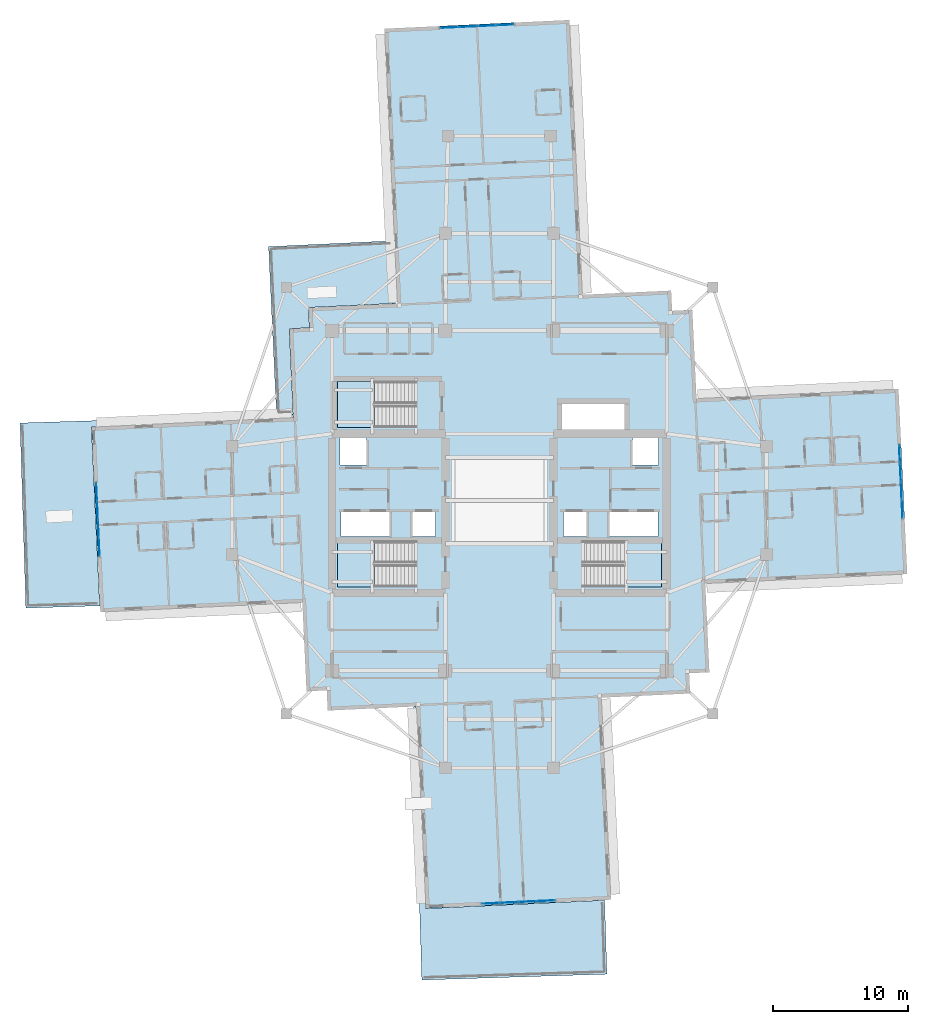
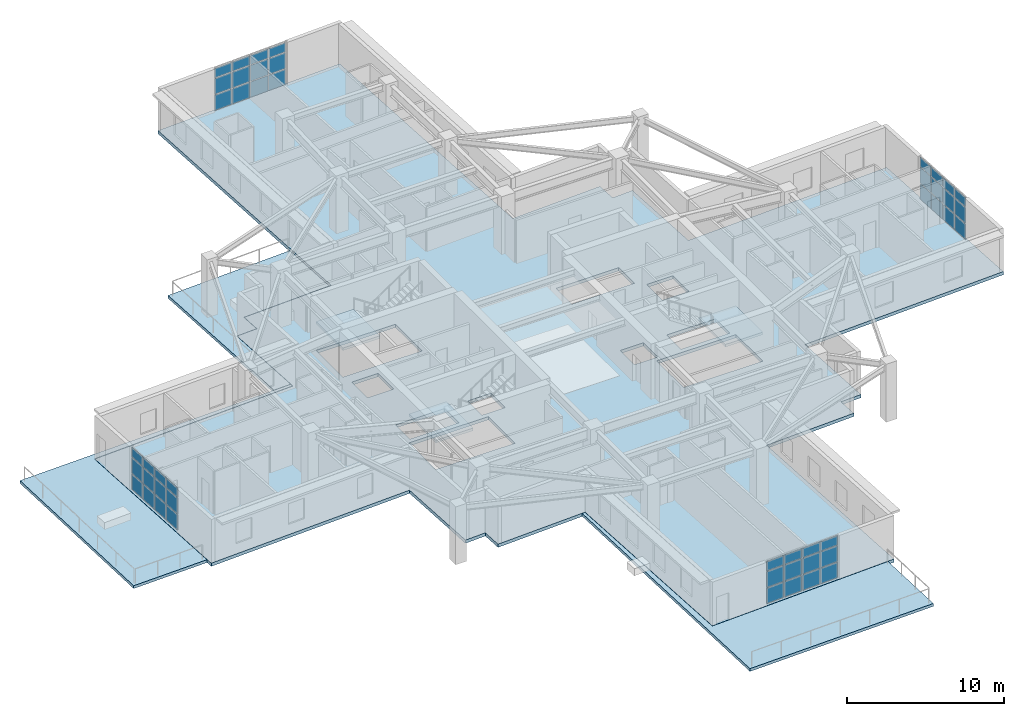
# One storey, part 10 of 22: 48 plates, 7 slabs, 7 elements without a shape of their own.
"""IFC4 building model written with IfcOpenShell, lengths in metres."""

from ifc_helpers import new_model, si_unit, direction, frame, origin, origin_2d, place, context, subcontext, project, spatial, polyline, rectangle, outline, extrude, material, layer, layer_set, type_object, element, aggregate, save


model = new_model("IFC4")

# Units and contexts
model_context = context("Model", 3, precision=1e-05, world=origin(), true_north=direction((0.0, 1.0)))
body_context = subcontext(model_context, "Body", "Model", "MODEL_VIEW")
ifc_project = project(units=[si_unit("LENGTHUNIT", "METRE"), si_unit("AREAUNIT", "SQUARE_METRE"), si_unit("VOLUMEUNIT", "CUBIC_METRE"), si_unit("PLANEANGLEUNIT", "RADIAN"), si_unit("MASSUNIT", "GRAM", prefix="KILO")], contexts=[model_context])

# Site, building, storey
site_placement = place(None, origin())
site = spatial("IfcSite", under=ifc_project, at=site_placement, CompositionType="ELEMENT")
building_placement = place(site_placement, origin())
building = spatial("IfcBuilding", under=site, at=building_placement, Name="Qingluan Cross Belvedere", CompositionType="ELEMENT")
storey_placement = place(building_placement, frame((0.0, 0.0, 196.800048828125)))
storey = spatial("IfcBuildingStorey", under=building, at=storey_placement, Name="L49", CompositionType="ELEMENT", Elevation=196.800048828125)

# Curtain wall, plates
ifc_material_1 = material(Name="Thermally broken aluminium and Low-E glass", Category="aluminium")
ifc_layer_1 = layer(ifc_material_1, 0.219970703125, Name="UnitisedCW_SkyLobbyHigh")
ifc_layer_set_1 = layer_set([ifc_layer_1], Name="Thermally broken aluminium and Low-E glass")
curtain_wall_type = type_object("IfcCurtainWallType", Name="UnitisedCW_SkyLobbyHigh", PredefinedType="USERDEFINED", material=ifc_layer_set_1)
curtain_wall_1_placement = place(storey_placement, origin())
curtain_wall_1 = element("IfcCurtainWall", 1, at=curtain_wall_1_placement, inside=storey, type_object=curtain_wall_type, Name="UnitisedCW_SkyLobbyHigh run env:cw:L49:E", ObjectType="UNITISED CURTAIN WALL", PredefinedType="USERDEFINED")
ifc_material_2 = material(Name="Triple-silver Low-E insulated glass", Category="glass")
ifc_layer_2 = layer(ifc_material_2, 0.035888671875, Name="CWVisionPanel_36")
ifc_layer_set_2 = layer_set([ifc_layer_2], Name="Triple-silver Low-E insulated glass")
plate_type = type_object("IfcPlateType", Name="CWVisionPanel_36", PredefinedType="CURTAIN_PANEL", material=ifc_layer_set_2)
plate_1_placement = place(storey_placement, frame((29.84326171875, -0.637939453125, 0.06005859375), z_axis=(0.0, 0.0, 1.0), x_axis=(-0.04710198597, 0.998890085504, 0.0)))
plate_1 = element("IfcPlate", 2, at=plate_1_placement, type_object=plate_type, Name="CW-S2 panel 1.1", PredefinedType="CURTAIN_PANEL", context=body_context, shape_type="SweptSolid", body=[
    extrude(rectangle(XDim=1.281982421875, YDim=0.028076171875, at=origin_2d()), origin(), (0.0, 0.0, 1.0), 1.194091796875),
])
plate_2_placement = place(storey_placement, frame((29.84326171875, -0.637939453125, 1.31396484375), z_axis=(0.0, 0.0, 1.0), x_axis=(-0.04710198597, 0.998890085504, 0.0)))
plate_2 = element("IfcPlate", 3, at=plate_2_placement, type_object=plate_type, Name="CW-S2 panel 1.2", PredefinedType="CURTAIN_PANEL", context=body_context, shape_type="SweptSolid", body=[
    extrude(rectangle(XDim=1.281982421875, YDim=0.028076171875, at=origin_2d()), origin(), (0.0, 0.0, 1.0), 1.22509765625),
])
plate_3_placement = place(storey_placement, frame((29.84326171875, -0.637939453125, 2.59912109375), z_axis=(0.0, 0.0, 1.0), x_axis=(-0.04710198597, 0.998890085504, 0.0)))
plate_3 = element("IfcPlate", 4, at=plate_3_placement, type_object=plate_type, Name="CW-S2 panel 1.3", PredefinedType="CURTAIN_PANEL", context=body_context, shape_type="SweptSolid", body=[
    extrude(rectangle(XDim=1.281982421875, YDim=0.028076171875, at=origin_2d()), origin(), (0.0, 0.0, 1.0), 0.720947265625),
])
plate_4_placement = place(storey_placement, frame((29.779296875, 0.717529296875, 0.06005859375), z_axis=(0.0, 0.0, 1.0), x_axis=(-0.04710198597, 0.998890085504, 0.0)))
plate_4 = element("IfcPlate", 5, at=plate_4_placement, type_object=plate_type, Name="CW-S2 panel 2.1", PredefinedType="CURTAIN_PANEL", context=body_context, shape_type="SweptSolid", body=[
    extrude(rectangle(XDim=1.31201171875, YDim=0.028076171875, at=origin_2d()), origin(), (0.0, 0.0, 1.0), 1.194091796875),
])
plate_5_placement = place(storey_placement, frame((29.779296875, 0.717529296875, 1.31396484375), z_axis=(0.0, 0.0, 1.0), x_axis=(-0.04710198597, 0.998890085504, 0.0)))
plate_5 = element("IfcPlate", 6, at=plate_5_placement, type_object=plate_type, Name="CW-S2 panel 2.2", PredefinedType="CURTAIN_PANEL", context=body_context, shape_type="SweptSolid", body=[
    extrude(rectangle(XDim=1.31201171875, YDim=0.028076171875, at=origin_2d()), origin(), (0.0, 0.0, 1.0), 1.22509765625),
])
plate_6_placement = place(storey_placement, frame((29.779296875, 0.717529296875, 2.59912109375), z_axis=(0.0, 0.0, 1.0), x_axis=(-0.04710198597, 0.998890085504, 0.0)))
plate_6 = element("IfcPlate", 7, at=plate_6_placement, type_object=plate_type, Name="CW-S2 panel 2.3", PredefinedType="CURTAIN_PANEL", context=body_context, shape_type="SweptSolid", body=[
    extrude(rectangle(XDim=1.31201171875, YDim=0.028076171875, at=origin_2d()), origin(), (0.0, 0.0, 1.0), 0.720947265625),
])
plate_7_placement = place(storey_placement, frame((29.714599609375, 2.088134765625, 0.06005859375), z_axis=(0.0, 0.0, 1.0), x_axis=(-0.04710198597, 0.998890085504, 0.0)))
plate_7 = element("IfcPlate", 8, at=plate_7_placement, type_object=plate_type, Name="CW-S2 panel 3.1", PredefinedType="CURTAIN_PANEL", context=body_context, shape_type="SweptSolid", body=[
    extrude(rectangle(XDim=1.31201171875, YDim=0.028076171875, at=origin_2d()), origin(), (0.0, 0.0, 1.0), 1.194091796875),
])
plate_8_placement = place(storey_placement, frame((29.714599609375, 2.088134765625, 1.31396484375), z_axis=(0.0, 0.0, 1.0), x_axis=(-0.04710198597, 0.998890085504, 0.0)))
plate_8 = element("IfcPlate", 9, at=plate_8_placement, type_object=plate_type, Name="CW-S2 panel 3.2", PredefinedType="CURTAIN_PANEL", context=body_context, shape_type="SweptSolid", body=[
    extrude(rectangle(XDim=1.31201171875, YDim=0.028076171875, at=origin_2d()), origin(), (0.0, 0.0, 1.0), 1.22509765625),
])
plate_9_placement = place(storey_placement, frame((29.714599609375, 2.088134765625, 2.59912109375), z_axis=(0.0, 0.0, 1.0), x_axis=(-0.04710198597, 0.998890085504, 0.0)))
plate_9 = element("IfcPlate", 10, at=plate_9_placement, type_object=plate_type, Name="CW-S2 panel 3.3", PredefinedType="CURTAIN_PANEL", context=body_context, shape_type="SweptSolid", body=[
    extrude(rectangle(XDim=1.31201171875, YDim=0.028076171875, at=origin_2d()), origin(), (0.0, 0.0, 1.0), 0.720947265625),
])
plate_10_placement = place(storey_placement, frame((29.650634765625, 3.443603515625, 0.06005859375), z_axis=(0.0, 0.0, 1.0), x_axis=(-0.04710198597, 0.998890085504, 0.0)))
plate_10 = element("IfcPlate", 11, at=plate_10_placement, type_object=plate_type, Name="CW-S2 panel 4.1", PredefinedType="CURTAIN_PANEL", context=body_context, shape_type="SweptSolid", body=[
    extrude(rectangle(XDim=1.281982421875, YDim=0.028076171875, at=origin_2d()), origin(), (0.0, 0.0, 1.0), 1.194091796875),
])
plate_11_placement = place(storey_placement, frame((29.650634765625, 3.443603515625, 1.31396484375), z_axis=(0.0, 0.0, 1.0), x_axis=(-0.04710198597, 0.998890085504, 0.0)))
plate_11 = element("IfcPlate", 12, at=plate_11_placement, type_object=plate_type, Name="CW-S2 panel 4.2", PredefinedType="CURTAIN_PANEL", context=body_context, shape_type="SweptSolid", body=[
    extrude(rectangle(XDim=1.281982421875, YDim=0.028076171875, at=origin_2d()), origin(), (0.0, 0.0, 1.0), 1.22509765625),
])
plate_12_placement = place(storey_placement, frame((29.650634765625, 3.443603515625, 2.59912109375), z_axis=(0.0, 0.0, 1.0), x_axis=(-0.04710198597, 0.998890085504, 0.0)))
plate_12 = element("IfcPlate", 13, at=plate_12_placement, type_object=plate_type, Name="CW-S2 panel 4.3", PredefinedType="CURTAIN_PANEL", context=body_context, shape_type="SweptSolid", body=[
    extrude(rectangle(XDim=1.281982421875, YDim=0.028076171875, at=origin_2d()), origin(), (0.0, 0.0, 1.0), 0.720947265625),
])
aggregate(curtain_wall_1, [plate_1, plate_2, plate_3, plate_4, plate_5, plate_6, plate_7, plate_8, plate_9, plate_10, plate_11, plate_12])

curtain_wall_2_placement = place(storey_placement, origin())
curtain_wall_2 = element("IfcCurtainWall", 14, at=curtain_wall_2_placement, inside=storey, type_object=curtain_wall_type, Name="UnitisedCW_SkyLobbyHigh run env:cw:L49:N", ObjectType="UNITISED CURTAIN WALL", PredefinedType="USERDEFINED")
plate_13_placement = place(storey_placement, frame((0.383544921875, 35.237060546875, 0.06005859375), z_axis=(0.0, 0.0, 1.0), x_axis=(-0.998890085504, -0.04710198597, 0.0)))
plate_13 = element("IfcPlate", 15, at=plate_13_placement, type_object=plate_type, Name="CW-S2 panel 1.1", PredefinedType="CURTAIN_PANEL", context=body_context, shape_type="SweptSolid", body=[
    extrude(rectangle(XDim=1.281982421875, YDim=0.028076171875, at=origin_2d()), origin(), (0.0, 0.0, 1.0), 1.194091796875),
])
plate_14_placement = place(storey_placement, frame((0.383544921875, 35.237060546875, 1.31396484375), z_axis=(0.0, 0.0, 1.0), x_axis=(-0.998890085504, -0.04710198597, 0.0)))
plate_14 = element("IfcPlate", 16, at=plate_14_placement, type_object=plate_type, Name="CW-S2 panel 1.2", PredefinedType="CURTAIN_PANEL", context=body_context, shape_type="SweptSolid", body=[
    extrude(rectangle(XDim=1.281982421875, YDim=0.028076171875, at=origin_2d()), origin(), (0.0, 0.0, 1.0), 1.22509765625),
])
plate_15_placement = place(storey_placement, frame((0.383544921875, 35.237060546875, 2.59912109375), z_axis=(0.0, 0.0, 1.0), x_axis=(-0.998890085504, -0.04710198597, 0.0)))
plate_15 = element("IfcPlate", 17, at=plate_15_placement, type_object=plate_type, Name="CW-S2 panel 1.3", PredefinedType="CURTAIN_PANEL", context=body_context, shape_type="SweptSolid", body=[
    extrude(rectangle(XDim=1.281982421875, YDim=0.028076171875, at=origin_2d()), origin(), (0.0, 0.0, 1.0), 0.720947265625),
])
plate_16_placement = place(storey_placement, frame((-0.971923828125, 35.17333984375, 0.06005859375), z_axis=(0.0, 0.0, 1.0), x_axis=(-0.998890085504, -0.04710198597, 0.0)))
plate_16 = element("IfcPlate", 18, at=plate_16_placement, type_object=plate_type, Name="CW-S2 panel 2.1", PredefinedType="CURTAIN_PANEL", context=body_context, shape_type="SweptSolid", body=[
    extrude(rectangle(XDim=1.31201171875, YDim=0.028076171875, at=origin_2d()), origin(), (0.0, 0.0, 1.0), 1.194091796875),
])
plate_17_placement = place(storey_placement, frame((-0.971923828125, 35.17333984375, 1.31396484375), z_axis=(0.0, 0.0, 1.0), x_axis=(-0.998890085504, -0.04710198597, 0.0)))
plate_17 = element("IfcPlate", 19, at=plate_17_placement, type_object=plate_type, Name="CW-S2 panel 2.2", PredefinedType="CURTAIN_PANEL", context=body_context, shape_type="SweptSolid", body=[
    extrude(rectangle(XDim=1.31201171875, YDim=0.028076171875, at=origin_2d()), origin(), (0.0, 0.0, 1.0), 1.22509765625),
])
plate_18_placement = place(storey_placement, frame((-0.971923828125, 35.17333984375, 2.59912109375), z_axis=(0.0, 0.0, 1.0), x_axis=(-0.998890085504, -0.04710198597, 0.0)))
plate_18 = element("IfcPlate", 20, at=plate_18_placement, type_object=plate_type, Name="CW-S2 panel 2.3", PredefinedType="CURTAIN_PANEL", context=body_context, shape_type="SweptSolid", body=[
    extrude(rectangle(XDim=1.31201171875, YDim=0.028076171875, at=origin_2d()), origin(), (0.0, 0.0, 1.0), 0.720947265625),
])
plate_19_placement = place(storey_placement, frame((-2.342529296875, 35.108642578125, 0.06005859375), z_axis=(0.0, 0.0, 1.0), x_axis=(-0.998890085504, -0.04710198597, 0.0)))
plate_19 = element("IfcPlate", 21, at=plate_19_placement, type_object=plate_type, Name="CW-S2 panel 3.1", PredefinedType="CURTAIN_PANEL", context=body_context, shape_type="SweptSolid", body=[
    extrude(rectangle(XDim=1.31201171875, YDim=0.028076171875, at=origin_2d()), origin(), (0.0, 0.0, 1.0), 1.194091796875),
])
plate_20_placement = place(storey_placement, frame((-2.342529296875, 35.108642578125, 1.31396484375), z_axis=(0.0, 0.0, 1.0), x_axis=(-0.998890085504, -0.04710198597, 0.0)))
plate_20 = element("IfcPlate", 22, at=plate_20_placement, type_object=plate_type, Name="CW-S2 panel 3.2", PredefinedType="CURTAIN_PANEL", context=body_context, shape_type="SweptSolid", body=[
    extrude(rectangle(XDim=1.31201171875, YDim=0.028076171875, at=origin_2d()), origin(), (0.0, 0.0, 1.0), 1.22509765625),
])
plate_21_placement = place(storey_placement, frame((-2.342529296875, 35.108642578125, 2.59912109375), z_axis=(0.0, 0.0, 1.0), x_axis=(-0.998890085504, -0.04710198597, 0.0)))
plate_21 = element("IfcPlate", 23, at=plate_21_placement, type_object=plate_type, Name="CW-S2 panel 3.3", PredefinedType="CURTAIN_PANEL", context=body_context, shape_type="SweptSolid", body=[
    extrude(rectangle(XDim=1.31201171875, YDim=0.028076171875, at=origin_2d()), origin(), (0.0, 0.0, 1.0), 0.720947265625),
])
plate_22_placement = place(storey_placement, frame((-3.697998046875, 35.044677734375, 0.06005859375), z_axis=(0.0, 0.0, 1.0), x_axis=(-0.998890085504, -0.04710198597, 0.0)))
plate_22 = element("IfcPlate", 24, at=plate_22_placement, type_object=plate_type, Name="CW-S2 panel 4.1", PredefinedType="CURTAIN_PANEL", context=body_context, shape_type="SweptSolid", body=[
    extrude(rectangle(XDim=1.281982421875, YDim=0.028076171875, at=origin_2d()), origin(), (0.0, 0.0, 1.0), 1.194091796875),
])
plate_23_placement = place(storey_placement, frame((-3.697998046875, 35.044677734375, 1.31396484375), z_axis=(0.0, 0.0, 1.0), x_axis=(-0.998890085504, -0.04710198597, 0.0)))
plate_23 = element("IfcPlate", 25, at=plate_23_placement, type_object=plate_type, Name="CW-S2 panel 4.2", PredefinedType="CURTAIN_PANEL", context=body_context, shape_type="SweptSolid", body=[
    extrude(rectangle(XDim=1.281982421875, YDim=0.028076171875, at=origin_2d()), origin(), (0.0, 0.0, 1.0), 1.22509765625),
])
plate_24_placement = place(storey_placement, frame((-3.697998046875, 35.044677734375, 2.59912109375), z_axis=(0.0, 0.0, 1.0), x_axis=(-0.998890085504, -0.04710198597, 0.0)))
plate_24 = element("IfcPlate", 26, at=plate_24_placement, type_object=plate_type, Name="CW-S2 panel 4.3", PredefinedType="CURTAIN_PANEL", context=body_context, shape_type="SweptSolid", body=[
    extrude(rectangle(XDim=1.281982421875, YDim=0.028076171875, at=origin_2d()), origin(), (0.0, 0.0, 1.0), 0.720947265625),
])
aggregate(curtain_wall_2, [plate_13, plate_14, plate_15, plate_16, plate_17, plate_18, plate_19, plate_20, plate_21, plate_22, plate_23, plate_24])

curtain_wall_3_placement = place(storey_placement, origin())
curtain_wall_3 = element("IfcCurtainWall", 27, at=curtain_wall_3_placement, inside=storey, type_object=curtain_wall_type, Name="UnitisedCW_SkyLobbyHigh run env:cw:L49:W", ObjectType="UNITISED CURTAIN WALL", PredefinedType="USERDEFINED")
plate_25_placement = place(storey_placement, frame((-29.84326171875, 0.637939453125, 0.06005859375), z_axis=(0.0, 0.0, 1.0), x_axis=(0.04710198597, -0.998890085504, 0.0)))
plate_25 = element("IfcPlate", 28, at=plate_25_placement, type_object=plate_type, Name="CW-S2 panel 1.1", PredefinedType="CURTAIN_PANEL", context=body_context, shape_type="SweptSolid", body=[
    extrude(rectangle(XDim=1.281982421875, YDim=0.028076171875, at=origin_2d()), origin(), (0.0, 0.0, 1.0), 1.194091796875),
])
plate_26_placement = place(storey_placement, frame((-29.84326171875, 0.637939453125, 1.31396484375), z_axis=(0.0, 0.0, 1.0), x_axis=(0.04710198597, -0.998890085504, 0.0)))
plate_26 = element("IfcPlate", 29, at=plate_26_placement, type_object=plate_type, Name="CW-S2 panel 1.2", PredefinedType="CURTAIN_PANEL", context=body_context, shape_type="SweptSolid", body=[
    extrude(rectangle(XDim=1.281982421875, YDim=0.028076171875, at=origin_2d()), origin(), (0.0, 0.0, 1.0), 1.22509765625),
])
plate_27_placement = place(storey_placement, frame((-29.84326171875, 0.637939453125, 2.59912109375), z_axis=(0.0, 0.0, 1.0), x_axis=(0.04710198597, -0.998890085504, 0.0)))
plate_27 = element("IfcPlate", 30, at=plate_27_placement, type_object=plate_type, Name="CW-S2 panel 1.3", PredefinedType="CURTAIN_PANEL", context=body_context, shape_type="SweptSolid", body=[
    extrude(rectangle(XDim=1.281982421875, YDim=0.028076171875, at=origin_2d()), origin(), (0.0, 0.0, 1.0), 0.720947265625),
])
plate_28_placement = place(storey_placement, frame((-29.779296875, -0.717529296875, 0.06005859375), z_axis=(0.0, 0.0, 1.0), x_axis=(0.04710198597, -0.998890085504, 0.0)))
plate_28 = element("IfcPlate", 31, at=plate_28_placement, type_object=plate_type, Name="CW-S2 panel 2.1", PredefinedType="CURTAIN_PANEL", context=body_context, shape_type="SweptSolid", body=[
    extrude(rectangle(XDim=1.31201171875, YDim=0.028076171875, at=origin_2d()), origin(), (0.0, 0.0, 1.0), 1.194091796875),
])
plate_29_placement = place(storey_placement, frame((-29.779296875, -0.717529296875, 1.31396484375), z_axis=(0.0, 0.0, 1.0), x_axis=(0.04710198597, -0.998890085504, 0.0)))
plate_29 = element("IfcPlate", 32, at=plate_29_placement, type_object=plate_type, Name="CW-S2 panel 2.2", PredefinedType="CURTAIN_PANEL", context=body_context, shape_type="SweptSolid", body=[
    extrude(rectangle(XDim=1.31201171875, YDim=0.028076171875, at=origin_2d()), origin(), (0.0, 0.0, 1.0), 1.22509765625),
])
plate_30_placement = place(storey_placement, frame((-29.779296875, -0.717529296875, 2.59912109375), z_axis=(0.0, 0.0, 1.0), x_axis=(0.04710198597, -0.998890085504, 0.0)))
plate_30 = element("IfcPlate", 33, at=plate_30_placement, type_object=plate_type, Name="CW-S2 panel 2.3", PredefinedType="CURTAIN_PANEL", context=body_context, shape_type="SweptSolid", body=[
    extrude(rectangle(XDim=1.31201171875, YDim=0.028076171875, at=origin_2d()), origin(), (0.0, 0.0, 1.0), 0.720947265625),
])
plate_31_placement = place(storey_placement, frame((-29.714599609375, -2.088134765625, 0.06005859375), z_axis=(0.0, 0.0, 1.0), x_axis=(0.04710198597, -0.998890085504, 0.0)))
plate_31 = element("IfcPlate", 34, at=plate_31_placement, type_object=plate_type, Name="CW-S2 panel 3.1", PredefinedType="CURTAIN_PANEL", context=body_context, shape_type="SweptSolid", body=[
    extrude(rectangle(XDim=1.31201171875, YDim=0.028076171875, at=origin_2d()), origin(), (0.0, 0.0, 1.0), 1.194091796875),
])
plate_32_placement = place(storey_placement, frame((-29.714599609375, -2.088134765625, 1.31396484375), z_axis=(0.0, 0.0, 1.0), x_axis=(0.04710198597, -0.998890085504, 0.0)))
plate_32 = element("IfcPlate", 35, at=plate_32_placement, type_object=plate_type, Name="CW-S2 panel 3.2", PredefinedType="CURTAIN_PANEL", context=body_context, shape_type="SweptSolid", body=[
    extrude(rectangle(XDim=1.31201171875, YDim=0.028076171875, at=origin_2d()), origin(), (0.0, 0.0, 1.0), 1.22509765625),
])
plate_33_placement = place(storey_placement, frame((-29.714599609375, -2.088134765625, 2.59912109375), z_axis=(0.0, 0.0, 1.0), x_axis=(0.04710198597, -0.998890085504, 0.0)))
plate_33 = element("IfcPlate", 36, at=plate_33_placement, type_object=plate_type, Name="CW-S2 panel 3.3", PredefinedType="CURTAIN_PANEL", context=body_context, shape_type="SweptSolid", body=[
    extrude(rectangle(XDim=1.31201171875, YDim=0.028076171875, at=origin_2d()), origin(), (0.0, 0.0, 1.0), 0.720947265625),
])
plate_34_placement = place(storey_placement, frame((-29.650634765625, -3.443603515625, 0.06005859375), z_axis=(0.0, 0.0, 1.0), x_axis=(0.04710198597, -0.998890085504, 0.0)))
plate_34 = element("IfcPlate", 37, at=plate_34_placement, type_object=plate_type, Name="CW-S2 panel 4.1", PredefinedType="CURTAIN_PANEL", context=body_context, shape_type="SweptSolid", body=[
    extrude(rectangle(XDim=1.281982421875, YDim=0.028076171875, at=origin_2d()), origin(), (0.0, 0.0, 1.0), 1.194091796875),
])
plate_35_placement = place(storey_placement, frame((-29.650634765625, -3.443603515625, 1.31396484375), z_axis=(0.0, 0.0, 1.0), x_axis=(0.04710198597, -0.998890085504, 0.0)))
plate_35 = element("IfcPlate", 38, at=plate_35_placement, type_object=plate_type, Name="CW-S2 panel 4.2", PredefinedType="CURTAIN_PANEL", context=body_context, shape_type="SweptSolid", body=[
    extrude(rectangle(XDim=1.281982421875, YDim=0.028076171875, at=origin_2d()), origin(), (0.0, 0.0, 1.0), 1.22509765625),
])
plate_36_placement = place(storey_placement, frame((-29.650634765625, -3.443603515625, 2.59912109375), z_axis=(0.0, 0.0, 1.0), x_axis=(0.04710198597, -0.998890085504, 0.0)))
plate_36 = element("IfcPlate", 39, at=plate_36_placement, type_object=plate_type, Name="CW-S2 panel 4.3", PredefinedType="CURTAIN_PANEL", context=body_context, shape_type="SweptSolid", body=[
    extrude(rectangle(XDim=1.281982421875, YDim=0.028076171875, at=origin_2d()), origin(), (0.0, 0.0, 1.0), 0.720947265625),
])
aggregate(curtain_wall_3, [plate_25, plate_26, plate_27, plate_28, plate_29, plate_30, plate_31, plate_32, plate_33, plate_34, plate_35, plate_36])

curtain_wall_4_placement = place(storey_placement, origin())
curtain_wall_4 = element("IfcCurtainWall", 40, at=curtain_wall_4_placement, inside=storey, type_object=curtain_wall_type, Name="UnitisedCW_SkyLobbyHigh run env:cw:L49:S", ObjectType="UNITISED CURTAIN WALL", PredefinedType="USERDEFINED")
plate_37_placement = place(storey_placement, frame((-0.637939453125, -29.84326171875, 0.06005859375), z_axis=(0.0, 0.0, 1.0), x_axis=(0.998890085504, 0.04710198597, 0.0)))
plate_37 = element("IfcPlate", 41, at=plate_37_placement, type_object=plate_type, Name="CW-S2 panel 1.1", PredefinedType="CURTAIN_PANEL", context=body_context, shape_type="SweptSolid", body=[
    extrude(rectangle(XDim=1.281982421875, YDim=0.028076171875, at=origin_2d()), origin(), (0.0, 0.0, 1.0), 1.194091796875),
])
plate_38_placement = place(storey_placement, frame((-0.637939453125, -29.84326171875, 1.31396484375), z_axis=(0.0, 0.0, 1.0), x_axis=(0.998890085504, 0.04710198597, 0.0)))
plate_38 = element("IfcPlate", 42, at=plate_38_placement, type_object=plate_type, Name="CW-S2 panel 1.2", PredefinedType="CURTAIN_PANEL", context=body_context, shape_type="SweptSolid", body=[
    extrude(rectangle(XDim=1.281982421875, YDim=0.028076171875, at=origin_2d()), origin(), (0.0, 0.0, 1.0), 1.22509765625),
])
plate_39_placement = place(storey_placement, frame((-0.637939453125, -29.84326171875, 2.59912109375), z_axis=(0.0, 0.0, 1.0), x_axis=(0.998890085504, 0.04710198597, 0.0)))
plate_39 = element("IfcPlate", 43, at=plate_39_placement, type_object=plate_type, Name="CW-S2 panel 1.3", PredefinedType="CURTAIN_PANEL", context=body_context, shape_type="SweptSolid", body=[
    extrude(rectangle(XDim=1.281982421875, YDim=0.028076171875, at=origin_2d()), origin(), (0.0, 0.0, 1.0), 0.720947265625),
])
plate_40_placement = place(storey_placement, frame((0.717529296875, -29.779296875, 0.06005859375), z_axis=(0.0, 0.0, 1.0), x_axis=(0.998890085504, 0.04710198597, 0.0)))
plate_40 = element("IfcPlate", 44, at=plate_40_placement, type_object=plate_type, Name="CW-S2 panel 2.1", PredefinedType="CURTAIN_PANEL", context=body_context, shape_type="SweptSolid", body=[
    extrude(rectangle(XDim=1.31201171875, YDim=0.028076171875, at=origin_2d()), origin(), (0.0, 0.0, 1.0), 1.194091796875),
])
plate_41_placement = place(storey_placement, frame((0.717529296875, -29.779296875, 1.31396484375), z_axis=(0.0, 0.0, 1.0), x_axis=(0.998890085504, 0.04710198597, 0.0)))
plate_41 = element("IfcPlate", 45, at=plate_41_placement, type_object=plate_type, Name="CW-S2 panel 2.2", PredefinedType="CURTAIN_PANEL", context=body_context, shape_type="SweptSolid", body=[
    extrude(rectangle(XDim=1.31201171875, YDim=0.028076171875, at=origin_2d()), origin(), (0.0, 0.0, 1.0), 1.22509765625),
])
plate_42_placement = place(storey_placement, frame((0.717529296875, -29.779296875, 2.59912109375), z_axis=(0.0, 0.0, 1.0), x_axis=(0.998890085504, 0.04710198597, 0.0)))
plate_42 = element("IfcPlate", 46, at=plate_42_placement, type_object=plate_type, Name="CW-S2 panel 2.3", PredefinedType="CURTAIN_PANEL", context=body_context, shape_type="SweptSolid", body=[
    extrude(rectangle(XDim=1.31201171875, YDim=0.028076171875, at=origin_2d()), origin(), (0.0, 0.0, 1.0), 0.720947265625),
])
plate_43_placement = place(storey_placement, frame((2.088134765625, -29.714599609375, 0.06005859375), z_axis=(0.0, 0.0, 1.0), x_axis=(0.998890085504, 0.04710198597, 0.0)))
plate_43 = element("IfcPlate", 47, at=plate_43_placement, type_object=plate_type, Name="CW-S2 panel 3.1", PredefinedType="CURTAIN_PANEL", context=body_context, shape_type="SweptSolid", body=[
    extrude(rectangle(XDim=1.31201171875, YDim=0.028076171875, at=origin_2d()), origin(), (0.0, 0.0, 1.0), 1.194091796875),
])
plate_44_placement = place(storey_placement, frame((2.088134765625, -29.714599609375, 1.31396484375), z_axis=(0.0, 0.0, 1.0), x_axis=(0.998890085504, 0.04710198597, 0.0)))
plate_44 = element("IfcPlate", 48, at=plate_44_placement, type_object=plate_type, Name="CW-S2 panel 3.2", PredefinedType="CURTAIN_PANEL", context=body_context, shape_type="SweptSolid", body=[
    extrude(rectangle(XDim=1.31201171875, YDim=0.028076171875, at=origin_2d()), origin(), (0.0, 0.0, 1.0), 1.22509765625),
])
plate_45_placement = place(storey_placement, frame((2.088134765625, -29.714599609375, 2.59912109375), z_axis=(0.0, 0.0, 1.0), x_axis=(0.998890085504, 0.04710198597, 0.0)))
plate_45 = element("IfcPlate", 49, at=plate_45_placement, type_object=plate_type, Name="CW-S2 panel 3.3", PredefinedType="CURTAIN_PANEL", context=body_context, shape_type="SweptSolid", body=[
    extrude(rectangle(XDim=1.31201171875, YDim=0.028076171875, at=origin_2d()), origin(), (0.0, 0.0, 1.0), 0.720947265625),
])
plate_46_placement = place(storey_placement, frame((3.443603515625, -29.650634765625, 0.06005859375), z_axis=(0.0, 0.0, 1.0), x_axis=(0.998890085504, 0.04710198597, 0.0)))
plate_46 = element("IfcPlate", 50, at=plate_46_placement, type_object=plate_type, Name="CW-S2 panel 4.1", PredefinedType="CURTAIN_PANEL", context=body_context, shape_type="SweptSolid", body=[
    extrude(rectangle(XDim=1.281982421875, YDim=0.028076171875, at=origin_2d()), origin(), (0.0, 0.0, 1.0), 1.194091796875),
])
plate_47_placement = place(storey_placement, frame((3.443603515625, -29.650634765625, 1.31396484375), z_axis=(0.0, 0.0, 1.0), x_axis=(0.998890085504, 0.04710198597, 0.0)))
plate_47 = element("IfcPlate", 51, at=plate_47_placement, type_object=plate_type, Name="CW-S2 panel 4.2", PredefinedType="CURTAIN_PANEL", context=body_context, shape_type="SweptSolid", body=[
    extrude(rectangle(XDim=1.281982421875, YDim=0.028076171875, at=origin_2d()), origin(), (0.0, 0.0, 1.0), 1.22509765625),
])
plate_48_placement = place(storey_placement, frame((3.443603515625, -29.650634765625, 2.59912109375), z_axis=(0.0, 0.0, 1.0), x_axis=(0.998890085504, 0.04710198597, 0.0)))
plate_48 = element("IfcPlate", 52, at=plate_48_placement, type_object=plate_type, Name="CW-S2 panel 4.3", PredefinedType="CURTAIN_PANEL", context=body_context, shape_type="SweptSolid", body=[
    extrude(rectangle(XDim=1.281982421875, YDim=0.028076171875, at=origin_2d()), origin(), (0.0, 0.0, 1.0), 0.720947265625),
])
aggregate(curtain_wall_4, [plate_37, plate_38, plate_39, plate_40, plate_41, plate_42, plate_43, plate_44, plate_45, plate_46, plate_47, plate_48])

# Slab
ifc_material_3 = material(Name="Concrete C40", Category="concrete")
ifc_layer_3 = layer(ifc_material_3, 0.25, Name="FloorSlab_250")
ifc_layer_set_3 = layer_set([ifc_layer_3], Name="Concrete C40")
slab_type_1 = type_object("IfcSlabType", Name="FloorSlab_250", PredefinedType="FLOOR", material=ifc_layer_set_3)
slab_1_placement = place(storey_placement, frame((0.0, 0.0, -0.25)))
element("IfcSlab", 53, at=slab_1_placement, inside=storey, type_object=slab_type_1, Name="Structural floor slab L49", PredefinedType="FLOOR", context=body_context, shape_type="SweptSolid", body=[
    extrude(outline(polyline([(8.26171875, -29.563720703125), (7.55615234375, -14.600341796875), (14.12890625, -14.290283203125), (14.05810546875, -12.7919921875), (15.556396484375, -12.72119140625), (15.24658203125, -6.148681640625), (30.2099609375, -5.443115234375), (29.563720703125, 8.26171875), (14.600341796875, 7.55615234375), (14.290283203125, 14.12890625), (12.7919921875, 14.05810546875), (12.72119140625, 15.556396484375), (6.148681640625, 15.24658203125), (5.188720703125, 35.60400390625), (-8.51611328125, 34.95751953125), (-7.55615234375, 14.600341796875), (-14.12890625, 14.290283203125), (-14.05810546875, 12.7919921875), (-15.556396484375, 12.72119140625), (-15.24658203125, 6.148681640625), (-30.2099609375, 5.443115234375), (-29.563720703125, -8.26171875), (-14.600341796875, -7.55615234375), (-14.290283203125, -14.12890625), (-12.7919921875, -14.05810546875), (-12.72119140625, -15.556396484375), (-6.148681640625, -15.24658203125), (-5.443115234375, -30.2099609375), (8.26171875, -29.563720703125)]), holes=[polyline([(-12.0, -3.0), (-6.179931640625, -3.0), (-6.179931640625, -6.39990234375), (-12.0, -6.39990234375), (-12.0, -3.0)]), polyline([(6.179931640625, -3.0), (12.0, -3.0), (12.0, -6.39990234375), (6.179931640625, -6.39990234375), (6.179931640625, -3.0)]), polyline([(-12.0, 8.820068359375), (-6.179931640625, 8.820068359375), (-6.179931640625, 5.419921875), (-12.0, 5.419921875), (-12.0, 8.820068359375)]), polyline([(-11.800048828125, 4.64990234375), (-9.85009765625, 4.64990234375), (-9.85009765625, 2.64990234375), (-11.800048828125, 2.64990234375), (-11.800048828125, 4.64990234375)]), polyline([(9.85009765625, 4.64990234375), (11.800048828125, 4.64990234375), (11.800048828125, 2.64990234375), (9.85009765625, 2.64990234375), (9.85009765625, 4.64990234375)]), polyline([(-11.75, -0.840087890625), (-8.14990234375, -0.840087890625), (-8.14990234375, -2.659912109375), (-11.75, -2.659912109375), (-11.75, -0.840087890625)]), polyline([(-6.449951171875, -0.840087890625), (-4.75, -0.840087890625), (-4.75, -2.659912109375), (-6.449951171875, -2.659912109375), (-6.449951171875, -0.840087890625)]), polyline([(4.75, -0.840087890625), (6.449951171875, -0.840087890625), (6.449951171875, -2.659912109375), (4.75, -2.659912109375), (4.75, -0.840087890625)]), polyline([(8.14990234375, -0.840087890625), (11.75, -0.840087890625), (11.75, -2.659912109375), (8.14990234375, -2.659912109375), (8.14990234375, -0.840087890625)]), polyline([(4.64990234375, 7.14990234375), (9.25, 7.14990234375), (9.25, 5.14990234375), (4.64990234375, 5.14990234375), (4.64990234375, 7.14990234375)])]), origin(), (0.0, 0.0, 1.0), 0.25),
])

# Stair, slab
ifc_material_4 = material(Name="Concrete C40", Category="concrete")
stair_type = type_object("IfcStairType", Name="CoreDoglegStair_1620", PredefinedType="HALF_TURN_STAIR", material=ifc_material_4)
stair_1_placement = place(storey_placement, origin())
stair_1 = element("IfcStair", 54, at=stair_1_placement, inside=storey, type_object=stair_type, Name="L49 ST1", PredefinedType="HALF_TURN_STAIR")
ifc_material_5 = material(Name="Concrete C40", Category="concrete")
ifc_layer_4 = layer(ifc_material_5, 0.179931640625, Name="StairLandingSlab_180")
ifc_layer_set_4 = layer_set([ifc_layer_4], Name="Concrete C40")
slab_type_2 = type_object("IfcSlabType", Name="StairLandingSlab_180", PredefinedType="LANDING", material=ifc_layer_set_4)
slab_2_placement = place(storey_placement, frame((0.0, 0.0, 2.050048828125)))
slab_2 = element("IfcSlab", 55, at=slab_2_placement, type_object=slab_type_2, Name="ST1 landing 1", PredefinedType="LANDING", context=body_context, shape_type="SweptSolid", body=[
    extrude(outline(polyline([(-9.260009765625, -3.0), (-12.0, -3.0), (-12.0, -6.39990234375), (-9.260009765625, -6.39990234375), (-9.260009765625, -3.0)])), origin(), (0.0, 0.0, 1.0), 0.199951171875),
])
aggregate(stair_1, [slab_2])

stair_2_placement = place(storey_placement, origin())
stair_2 = element("IfcStair", 56, at=stair_2_placement, inside=storey, type_object=stair_type, Name="L49 ST2", PredefinedType="HALF_TURN_STAIR")
slab_3_placement = place(storey_placement, frame((0.0, 0.0, 2.050048828125)))
slab_3 = element("IfcSlab", 57, at=slab_3_placement, type_object=slab_type_2, Name="ST2 landing 1", PredefinedType="LANDING", context=body_context, shape_type="SweptSolid", body=[
    extrude(outline(polyline([(9.260009765625, -6.39990234375), (12.0, -6.39990234375), (12.0, -3.0), (9.260009765625, -3.0), (9.260009765625, -6.39990234375)])), origin(), (0.0, 0.0, 1.0), 0.199951171875),
])
aggregate(stair_2, [slab_3])

stair_3_placement = place(storey_placement, origin())
stair_3 = element("IfcStair", 58, at=stair_3_placement, inside=storey, type_object=stair_type, Name="L49 ST3", PredefinedType="HALF_TURN_STAIR")
slab_4_placement = place(storey_placement, frame((0.0, 0.0, 2.050048828125)))
slab_4 = element("IfcSlab", 59, at=slab_4_placement, type_object=slab_type_2, Name="ST3 landing 1", PredefinedType="LANDING", context=body_context, shape_type="SweptSolid", body=[
    extrude(outline(polyline([(-9.260009765625, 8.820068359375), (-12.0, 8.820068359375), (-12.0, 5.419921875), (-9.260009765625, 5.419921875), (-9.260009765625, 8.820068359375)])), origin(), (0.0, 0.0, 1.0), 0.199951171875),
])
aggregate(stair_3, [slab_4])

# Slabs
ifc_material_6 = material(Name="Concrete C40", Category="concrete")
ifc_layer_5 = layer(ifc_material_6, 0.219970703125, Name="TerraceSlab_220")
ifc_layer_set_5 = layer_set([ifc_layer_5], Name="Concrete C40")
slab_type_3 = type_object("IfcSlabType", Name="TerraceSlab_220", PredefinedType="FLOOR", material=ifc_layer_set_5)
slab_5_placement = place(storey_placement, frame((0.0, 0.0, -0.219970703125)))
element("IfcSlab", 60, at=slab_5_placement, inside=storey, type_object=slab_type_3, Name="Stepped setback terrace L49-1", PredefinedType="FLOOR", context=body_context, shape_type="SweptSolid", body=[
    extrude(outline(polyline([(-35.087158203125, -7.966064453125), (-29.605712890625, -7.793701171875), (-30.2216796875, 5.458984375), (-15.267578125, 6.16748046875), (-15.277587890625, 6.38330078125), (-35.51806640625, 5.747314453125), (-35.087158203125, -7.966064453125)])), origin(), (0.0, 0.0, 1.0), 0.219970703125),
])
slab_6_placement = place(storey_placement, frame((0.0, 0.0, -0.219970703125)))
element("IfcSlab", 61, at=slab_6_placement, inside=storey, type_object=slab_type_3, Name="Stepped setback terrace L49-2", PredefinedType="FLOOR", context=body_context, shape_type="SweptSolid", body=[
    extrude(outline(polyline([(-6.38330078125, -15.277587890625), (-5.747314453125, -35.51806640625), (7.966064453125, -35.087158203125), (7.793701171875, -29.605712890625), (-5.458984375, -30.2216796875), (-6.16748046875, -15.267578125), (-6.38330078125, -15.277587890625)])), origin(), (0.0, 0.0, 1.0), 0.219970703125),
])
slab_7_placement = place(storey_placement, frame((0.0, 0.0, -0.219970703125)))
element("IfcSlab", 62, at=slab_7_placement, inside=storey, type_object=slab_type_3, Name="Spiralling winter-garden terrace slab L49", PredefinedType="FLOOR", context=body_context, shape_type="SweptSolid", body=[
    extrude(outline(polyline([(-16.517578125, 6.354248046875), (-15.277099609375, 6.393310546875), (-15.267822265625, 6.384765625), (-15.26318359375, 6.2880859375), (-15.565185546875, 12.7265625), (-14.068603515625, 12.801513671875), (-14.138916015625, 14.289794921875), (-14.13134765625, 14.300048828125), (-7.696533203125, 14.603759765625), (-7.91552734375, 19.24853515625), (-17.105224609375, 18.815185546875), (-16.517578125, 6.354248046875)])), origin(), (0.0, 0.0, 1.0), 0.219970703125),
])

save(model, "model.ifc")
